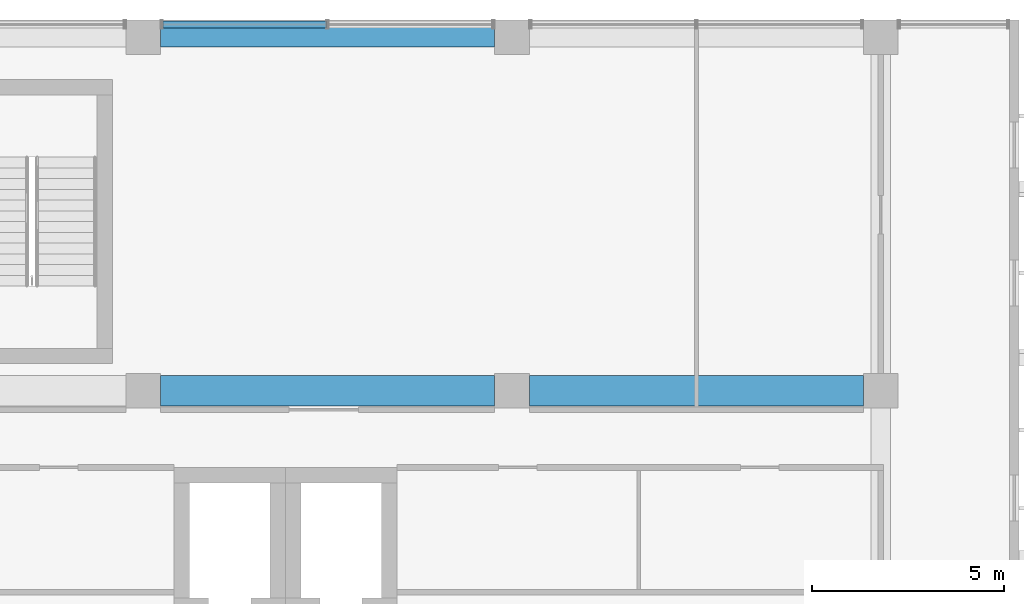
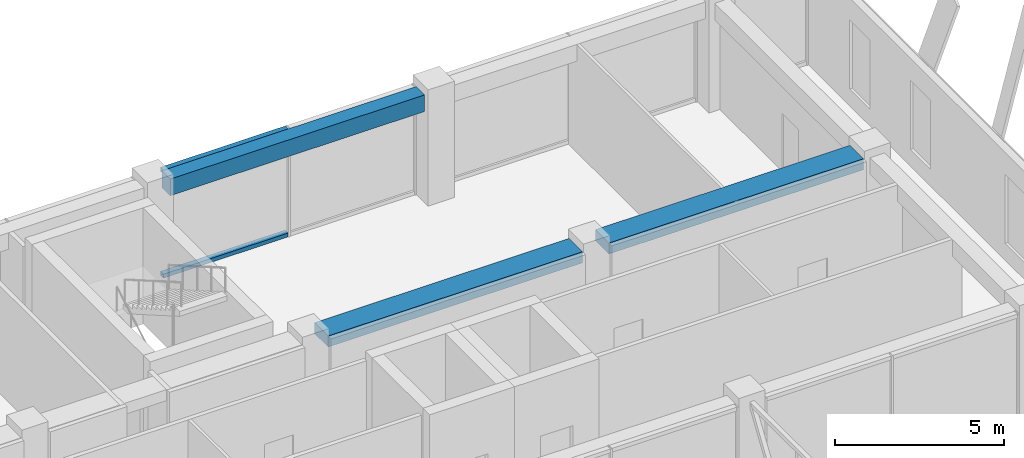
# One storey, part 24 of 38: 3 beams, 2 members, 1 element without a shape of its own.
"""IFC4 building model written with IfcOpenShell, lengths in metres."""

from ifc_helpers import new_model, si_unit, direction, frame, origin, origin_2d, place, context, subcontext, project, spatial, rectangle, hollow_rectangle, extrude, material, layer, layer_set, material_profile, profile_set, type_object, element, aggregate, save


model = new_model("IFC4")

# Units and contexts
model_context = context("Model", 3, precision=1e-05, world=origin(), true_north=direction((0.0, 1.0)))
body_context = subcontext(model_context, "Body", "Model", "MODEL_VIEW")
ifc_project = project(units=[si_unit("LENGTHUNIT", "METRE"), si_unit("AREAUNIT", "SQUARE_METRE"), si_unit("VOLUMEUNIT", "CUBIC_METRE"), si_unit("PLANEANGLEUNIT", "RADIAN"), si_unit("MASSUNIT", "GRAM", prefix="KILO")], contexts=[model_context])

# Site, building, storey
site_placement = place(None, origin())
site = spatial("IfcSite", under=ifc_project, at=site_placement, CompositionType="ELEMENT")
building_placement = place(site_placement, origin())
building = spatial("IfcBuilding", under=site, at=building_placement, Name="Nzadi Deep Aquarium and Research Tower", CompositionType="ELEMENT")
storey_placement = place(building_placement, frame((0.0, 0.0, 65.5)))
storey = spatial("IfcBuildingStorey", under=building, at=storey_placement, Name="L13", CompositionType="ELEMENT", Elevation=65.5)

# Beams
ifc_material_1 = material(Name="Concrete C35/45", Category="concrete")
ifc_material_profile_1 = material_profile(ifc_material_1, rectangle(XDim=0.5, YDim=0.60009765625, at=origin_2d()))
ifc_profile_set_1 = profile_set([ifc_material_profile_1], Name="Concrete C35/45")
beam_type_1 = type_object("IfcBeamType", Name="RC 500x600", PredefinedType="BEAM", material=ifc_profile_set_1)
beam_placement = place(storey_placement, frame((29.25, 46.0, 3.60009765625), z_axis=(1.0, 0.0, 0.0), x_axis=(0.0, 1.0, 0.0)))
element("IfcBeam", 1, at=beam_placement, inside=storey, type_object=beam_type_1, Name="B-Z1-L13-L6-4", PredefinedType="BEAM", context=body_context, shape_type="SweptSolid", body=[
    extrude(rectangle(XDim=0.5, YDim=0.60009765625, at=origin_2d()), origin(), (0.0, 0.0, 1.0), 8.699951171875),
])
ifc_material_2 = material(Name="Concrete C35/45", Category="concrete")
ifc_material_profile_2 = material_profile(ifc_material_2, rectangle(XDim=0.800048828125, YDim=0.39990234375, at=origin_2d()))
ifc_profile_set_2 = profile_set([ifc_material_profile_2], Name="Concrete C35/45")
beam_type_2 = type_object("IfcBeamType", Name="RC 800x400", PredefinedType="BEAM", material=ifc_profile_set_2)
for number, where, z_axis, x_axis, name in (
    (2, (29.25, 36.800048828125, 3.699951171875), (1.0, 0.0, 0.0), (0.0, 1.0, 0.0), "B-Z1-L13-L5-4"),
    (3, (38.85009765625, 36.800048828125, 3.699951171875), (1.0, 0.0, 0.0), (0.0, 1.0, 0.0), "B-Z1-L13-L5-5"),
):
    element("IfcBeam", number, at=place(storey_placement, frame(where, z_axis=z_axis, x_axis=x_axis)), inside=storey, type_object=beam_type_2, Name=name, PredefinedType="BEAM", context=body_context, shape_type="SweptSolid", body=[
        extrude(rectangle(XDim=0.800048828125, YDim=0.39990234375, at=origin_2d()), origin(), (0.0, 0.0, 1.0), 8.699951171875),
    ])

# Curtain wall, members
ifc_material_3 = material(Name="Aluminium unitised frame deep", Category="aluminium")
ifc_layer = layer(ifc_material_3, 0.22509765625)
ifc_layer_set = layer_set([ifc_layer], Name="Aluminium unitised frame deep")
curtain_wall_type = type_object("IfcCurtainWallType", Name="Curtain wall Unitised Deep 225", PredefinedType="NOTDEFINED", material=ifc_layer_set)
curtain_wall_placement = place(storey_placement, origin())
curtain_wall = element("IfcCurtainWall", 4, at=curtain_wall_placement, inside=storey, type_object=curtain_wall_type, Name="Unitised curtain wall blade B north L13", PredefinedType="NOTDEFINED")
ifc_material_4 = material(Name="Aluminium unitised frame deep", Category="aluminium")
ifc_material_profile_3 = material_profile(ifc_material_4, hollow_rectangle(XDim=0.179931640625, YDim=0.139892578125, WallThickness=0.0048828125, at=origin_2d()))
ifc_profile_set_3 = profile_set([ifc_material_profile_3], Name="Aluminium unitised frame deep")
member_type = type_object("IfcMemberType", Name="Transom 140x180 Unitised Deep", PredefinedType="MULLION", material=ifc_profile_set_3)
member_1_placement = place(storey_placement, frame((29.31005859375, 46.33740234375, 0.070068359375), z_axis=(1.0, 0.0, 0.0), x_axis=(0.0, 1.0, 0.0)))
member_1 = element("IfcMember", 5, at=member_1_placement, type_object=member_type, Name="CW173 transom 1.1", PredefinedType="MULLION", context=body_context, shape_type="SweptSolid", body=[
    extrude(hollow_rectangle(XDim=0.179931640625, YDim=0.139892578125, WallThickness=0.0048828125, at=origin_2d()), origin(), (0.0, 0.0, 1.0), 4.260009765625),
])
member_2_placement = place(storey_placement, frame((29.31005859375, 46.33740234375, 3.830078125), z_axis=(1.0, 0.0, 0.0), x_axis=(0.0, 1.0, 0.0)))
member_2 = element("IfcMember", 6, at=member_2_placement, type_object=member_type, Name="CW173 transom 1.2", PredefinedType="MULLION", context=body_context, shape_type="SweptSolid", body=[
    extrude(hollow_rectangle(XDim=0.179931640625, YDim=0.139892578125, WallThickness=0.0048828125, at=origin_2d()), origin(), (0.0, 0.0, 1.0), 4.260009765625),
])
aggregate(curtain_wall, [member_1, member_2])

save(model, "model.ifc")
